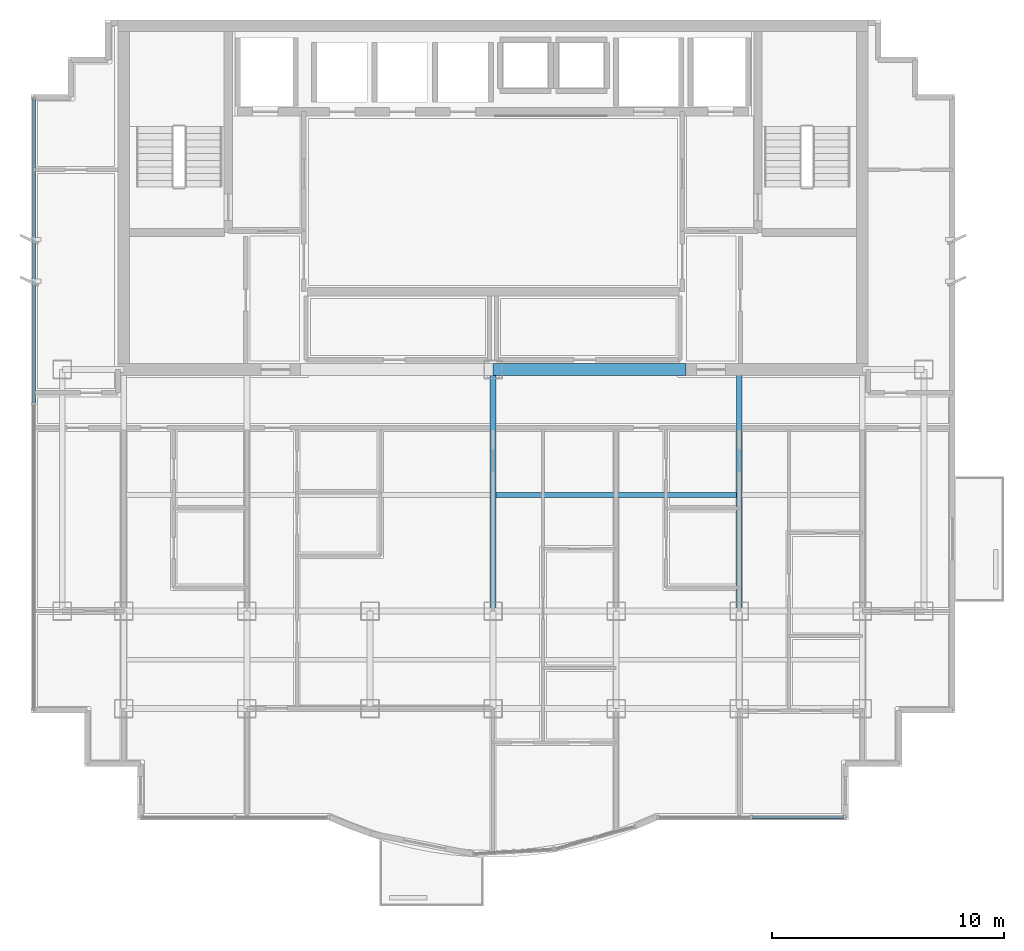
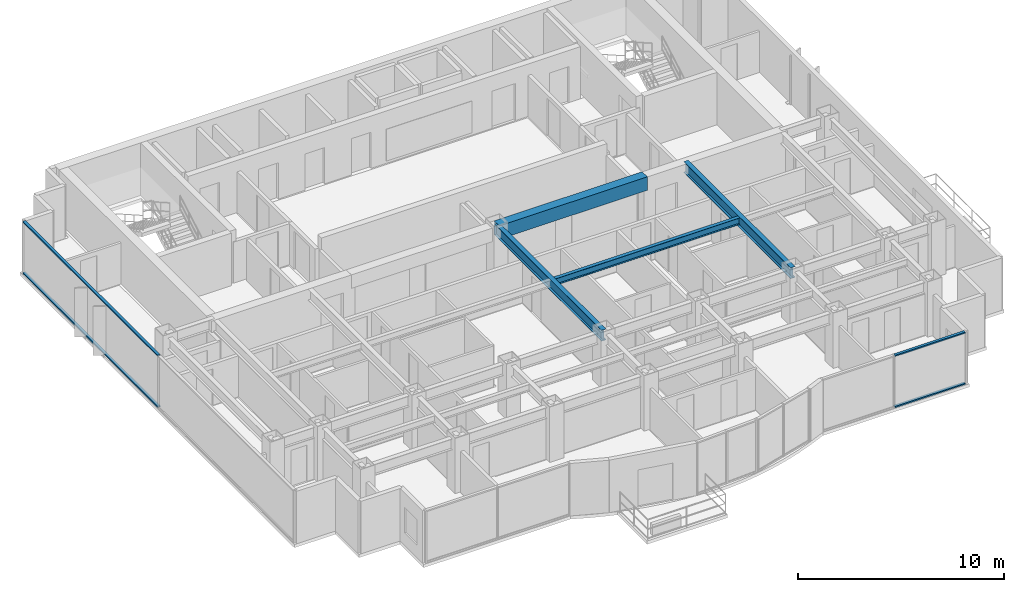
# One storey, part 3 of 11: 4 beams, 4 members, 2 elements without a shape of their own.
"""IFC4 building model written with IfcOpenShell, lengths in metres."""

from ifc_helpers import new_model, si_unit, direction, frame, origin, origin_2d, place, context, subcontext, project, spatial, rectangle, i_section, extrude, source, transform, mapped, material, layer, layer_set, material_profile, profile_set, type_object, element, aggregate, save


model = new_model("IFC4")

# Units and contexts
model_context = context("Model", 3, precision=1e-05, world=origin(), true_north=direction((0.0, 1.0)))
body_context = subcontext(model_context, "Body", "Model", "MODEL_VIEW")
ifc_project = project(units=[si_unit("LENGTHUNIT", "METRE"), si_unit("AREAUNIT", "SQUARE_METRE"), si_unit("VOLUMEUNIT", "CUBIC_METRE"), si_unit("PLANEANGLEUNIT", "RADIAN"), si_unit("MASSUNIT", "GRAM", prefix="KILO")], contexts=[model_context])

# Site, building, storey
site_placement = place(None, origin())
site = spatial("IfcSite", under=ifc_project, at=site_placement, CompositionType="ELEMENT")
building_placement = place(site_placement, origin())
building = spatial("IfcBuilding", under=site, at=building_placement, Name="Qianlan Lanfeng Residences", CompositionType="ELEMENT")
storey_placement = place(building_placement, frame((0.0, 0.0, 203.300048828125)))
storey = spatial("IfcBuildingStorey", under=building, at=storey_placement, Name="L55", CompositionType="ELEMENT", Elevation=203.300048828125)

# Beams
ifc_material_1 = material(Name="Steel SN490B", Category="steel")
ifc_material_profile_1 = material_profile(ifc_material_1, i_section(OverallWidth=0.25, OverallDepth=0.64990234375, WebThickness=0.012939453125, FlangeThickness=0.02197265625, at=origin_2d()), Name="H 650x250x13x22")
ifc_profile_set_1 = profile_set([ifc_material_profile_1], Name="Steel SN490B")
beam_type_1 = type_object("IfcBeamType", Name="G-650", PredefinedType="BEAM", material=ifc_profile_set_1)
for number, where, z_axis, x_axis, name in (
    (1, (26.5, 14.800048828125, 2.784912109375), (0.0, 1.0, 0.0), (-1.0, 0.0, 0.0), "Structural beam G-650"),
    (2, (37.10009765625, 14.800048828125, 2.784912109375), (0.0, 1.0, 0.0), (-1.0, 0.0, 0.0), "Structural beam G-650"),
):
    element("IfcBeam", number, at=place(storey_placement, frame(where, z_axis=z_axis, x_axis=x_axis)), inside=storey, type_object=beam_type_1, Name=name, PredefinedType="BEAM", context=body_context, shape_type="SweptSolid", body=[
        extrude(i_section(OverallWidth=0.25, OverallDepth=0.64990234375, WebThickness=0.012939453125, FlangeThickness=0.02197265625, at=origin_2d()), origin(), (0.0, 0.0, 1.0), 10.39990234375),
    ])
ifc_material_profile_2 = material_profile(ifc_material_1, i_section(OverallWidth=0.199951171875, OverallDepth=0.39990234375, WebThickness=0.008056640625, FlangeThickness=0.012939453125, at=origin_2d()), Name="H 400x200x8x13")
ifc_profile_set_2 = profile_set([ifc_material_profile_2], Name="Steel SN490B")
beam_type_2 = type_object("IfcBeamType", Name="J-400", PredefinedType="JOIST", material=ifc_profile_set_2)
beam_1_placement = place(storey_placement, frame((26.625, 19.800048828125, 2.909912109375), z_axis=(1.0, 0.0, 0.0), x_axis=(0.0, 1.0, 0.0)))
element("IfcBeam", 3, at=beam_1_placement, inside=storey, type_object=beam_type_2, Name="Structural beam J-400", PredefinedType="JOIST", context=body_context, shape_type="SweptSolid", body=[
    extrude(i_section(OverallWidth=0.199951171875, OverallDepth=0.39990234375, WebThickness=0.008056640625, FlangeThickness=0.012939453125, at=origin_2d()), origin(), (0.0, 0.0, 1.0), 10.35009765625),
])
ifc_material_2 = material(Name="Concrete C49", Category="concrete")
ifc_material_profile_3 = material_profile(ifc_material_2, rectangle(XDim=0.5, YDim=0.800048828125, at=origin_2d()), Name="RC 500x800")
ifc_profile_set_3 = profile_set([ifc_material_profile_3], Name="Concrete C49")
beam_type_3 = type_object("IfcBeamType", Name="LB-RC750", PredefinedType="BEAM", material=ifc_profile_set_3)
beam_2_placement = place(storey_placement, frame((26.5, 25.199951171875, 2.7099609375), z_axis=(1.0, 0.0, 0.0), x_axis=(0.0, 1.0, 0.0)))
element("IfcBeam", 4, at=beam_2_placement, inside=storey, type_object=beam_type_3, Name="L55 Core Coupling Beam E", PredefinedType="BEAM", context=body_context, shape_type="SweptSolid", body=[
    extrude(rectangle(XDim=0.5, YDim=0.800048828125, at=origin_2d()), origin(), (0.0, 0.0, 1.0), 8.300048828125),
])

# Curtain wall, members
ifc_material_3 = material(Name="Anodised Bronze Aluminium 6063-T6", Category="aluminium")
ifc_layer = layer(ifc_material_3, 0.219970703125)
ifc_layer_set = layer_set([ifc_layer], Name="Anodised Bronze Aluminium 6063-T6")
curtain_wall_type = type_object("IfcCurtainWallType", Name="CW-05", PredefinedType="NOTDEFINED", material=ifc_layer_set)
curtain_wall_1_placement = place(storey_placement, origin())
curtain_wall_1 = element("IfcCurtainWall", 5, at=curtain_wall_1_placement, inside=storey, type_object=curtain_wall_type, Name="L55 Unitised Curtain Wall CWR-L55-04 (CW-05)", PredefinedType="NOTDEFINED")
ifc_material_profile_4 = material_profile(ifc_material_3, rectangle(XDim=0.074951171875, YDim=0.14990234375, at=origin_2d()), Name="ALU TRANSOM 75x150")
ifc_profile_set_4 = profile_set([ifc_material_profile_4], Name="Anodised Bronze Aluminium 6063-T6")
member_type = type_object("IfcMemberType", Name="CWT-150", PredefinedType="USERDEFINED", material=ifc_profile_set_4)
shared_shape_1 = source(origin(), body_context, "Body", "SweptSolid", [
    extrude(rectangle(XDim=0.074951171875, YDim=0.14990234375, at=origin_2d()), origin(), (0.0, 0.0, 1.0), 3.949462890625),
])
member_1_placement = place(storey_placement, frame((37.655517578125, 5.919921875, 0.037353515625), z_axis=(1.0, 0.0, 0.0), x_axis=(0.0, 0.0, 1.0)))
member_1 = element("IfcMember", 6, at=member_1_placement, type_object=member_type, Name="CWR-L55-04 Transom 2-BOT", ObjectType="TRANSOM", PredefinedType="USERDEFINED", context=body_context, shape_type="MappedRepresentation", body=[
    mapped(shared_shape_1, transform((0.0, 0.0, 0.0), scale=1.0)),
])
member_2_placement = place(storey_placement, frame((37.655517578125, 5.919921875, 3.072509765625), z_axis=(1.0, 0.0, 0.0), x_axis=(0.0, 0.0, 1.0)))
member_2 = element("IfcMember", 7, at=member_2_placement, type_object=member_type, Name="CWR-L55-04 Transom 2-TOP", ObjectType="TRANSOM", PredefinedType="USERDEFINED", context=body_context, shape_type="MappedRepresentation", body=[
    mapped(shared_shape_1, transform((0.0, 0.0, 0.0), scale=1.0)),
])
aggregate(curtain_wall_1, [member_1, member_2])

curtain_wall_2_placement = place(storey_placement, origin())
curtain_wall_2 = element("IfcCurtainWall", 8, at=curtain_wall_2_placement, inside=storey, type_object=curtain_wall_type, Name="L55 Unitised Curtain Wall CWR-L55-05 (CW-05)", PredefinedType="NOTDEFINED")
shared_shape_2 = source(origin(), body_context, "Body", "SweptSolid", [
    extrude(rectangle(XDim=0.074951171875, YDim=0.14990234375, at=origin_2d()), origin(), (0.0, 0.0, 1.0), 13.092529296875),
])
member_3_placement = place(storey_placement, frame((6.719970703125, 36.85498046875, 0.037353515625), z_axis=(0.0, -1.0, 0.0), x_axis=(0.0, 0.0, 1.0)))
member_3 = element("IfcMember", 9, at=member_3_placement, type_object=member_type, Name="CWR-L55-05 Transom 1-BOT", ObjectType="TRANSOM", PredefinedType="USERDEFINED", context=body_context, shape_type="MappedRepresentation", body=[
    mapped(shared_shape_2, transform((0.0, 0.0, 0.0), scale=1.0)),
])
member_4_placement = place(storey_placement, frame((6.719970703125, 36.85498046875, 3.072509765625), z_axis=(0.0, -1.0, 0.0), x_axis=(0.0, 0.0, 1.0)))
member_4 = element("IfcMember", 10, at=member_4_placement, type_object=member_type, Name="CWR-L55-05 Transom 1-TOP", ObjectType="TRANSOM", PredefinedType="USERDEFINED", context=body_context, shape_type="MappedRepresentation", body=[
    mapped(shared_shape_2, transform((0.0, 0.0, 0.0), scale=1.0)),
])
aggregate(curtain_wall_2, [member_3, member_4])

save(model, "model.ifc")
